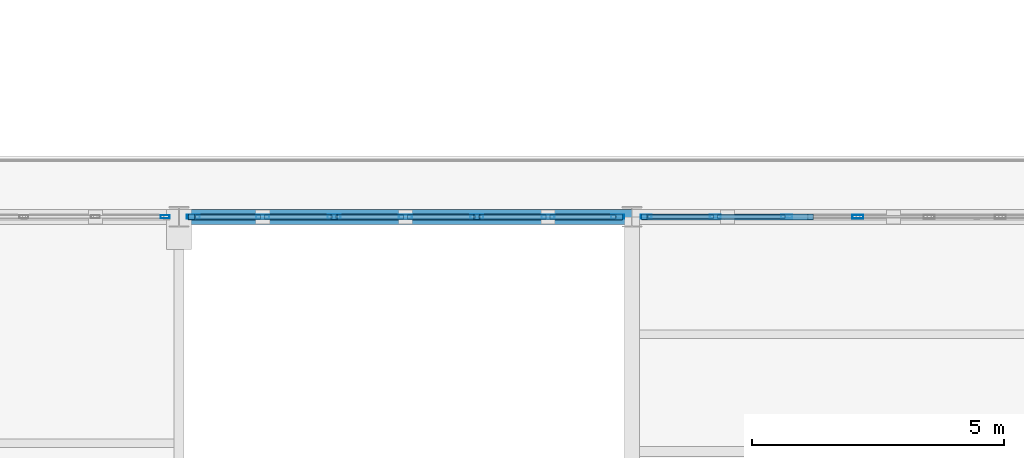
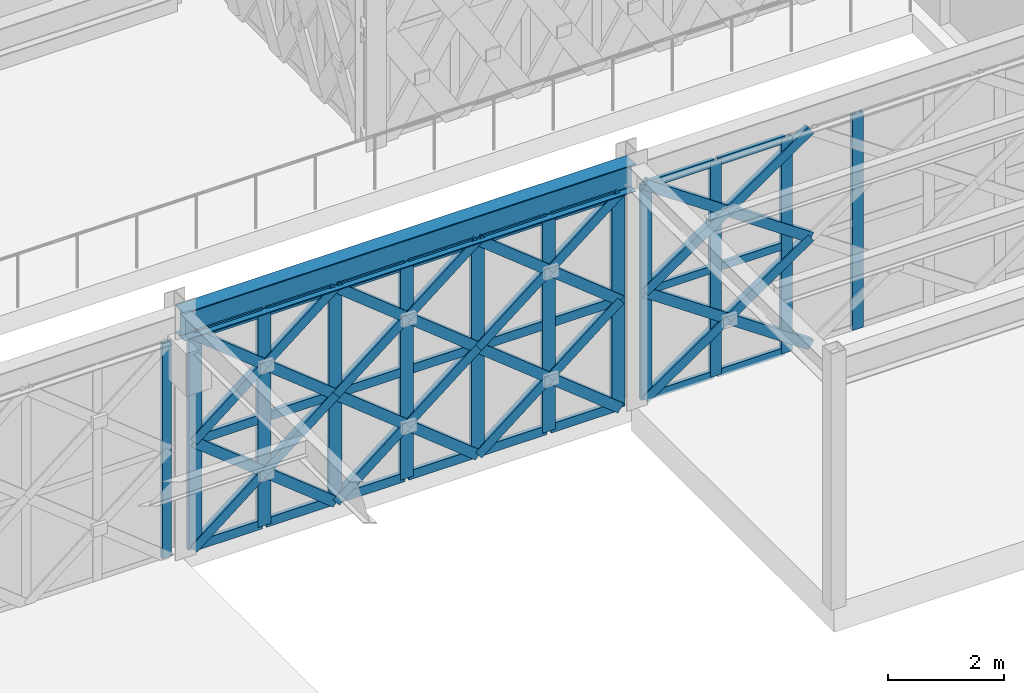
# One storey, part 91 of 140: 60 members, 1 beam, 3 elements without a shape of their own.
"""IFC4 building model written with IfcOpenShell, lengths in metres."""

from ifc_helpers import new_model, si_unit, direction, frame, origin, origin_2d, place, context, subcontext, project, spatial, hollow_rectangle, i_section, extrude, material, material_profile, profile_set, type_object, element, aggregate, save


model = new_model("IFC4")

# Units and contexts
model_context = context("Model", 3, precision=1e-05, world=origin(), true_north=direction((0.0, 1.0)))
body_context = subcontext(model_context, "Body", "Model", "MODEL_VIEW")
ifc_project = project(units=[si_unit("LENGTHUNIT", "METRE"), si_unit("AREAUNIT", "SQUARE_METRE"), si_unit("VOLUMEUNIT", "CUBIC_METRE"), si_unit("PLANEANGLEUNIT", "RADIAN"), si_unit("MASSUNIT", "GRAM", prefix="KILO")], contexts=[model_context])

# Site, building, storey
site_placement = place(None, origin())
site = spatial("IfcSite", under=ifc_project, at=site_placement, CompositionType="ELEMENT")
building_placement = place(site_placement, origin())
building = spatial("IfcBuilding", under=site, at=building_placement, Name="Haizhuo Lancet Aquarium", CompositionType="ELEMENT")
storey_placement = place(building_placement, origin())
storey = spatial("IfcBuildingStorey", under=building, at=storey_placement, Name="L00", CompositionType="ELEMENT", Elevation=0.0)

# Beam
ifc_material_1 = material(Name="Steel S355", Category="steel")
ifc_material_profile_1 = material_profile(ifc_material_1, i_section(OverallWidth=0.300048828125, OverallDepth=0.587890625, WebThickness=0.011962890625, FlangeThickness=0.02001953125, FilletRadius=0.02587890625, at=origin_2d()), Name="HM 588x300x12x20")
ifc_profile_set_1 = profile_set([ifc_material_profile_1], Name="Steel S355")
beam_type = type_object("IfcBeamType", Name="BM-ST-HM588", PredefinedType="BEAM", material=ifc_profile_set_1)
beam_placement = place(storey_placement, frame((63.0, 9.0, 4.825927734375), z_axis=(1.0, 0.0, 0.0), x_axis=(0.0, 1.0, 0.0)))
element("IfcBeam", 1, at=beam_placement, inside=storey, type_object=beam_type, Name="L00 V7 primary girder BM-L00-V7-018", PredefinedType="BEAM", context=body_context, shape_type="SweptSolid", body=[
    extrude(i_section(OverallWidth=0.300048828125, OverallDepth=0.587890625, WebThickness=0.011962890625, FlangeThickness=0.02001953125, FilletRadius=0.02587890625, at=origin_2d()), origin(), (0.0, 0.0, 1.0), 9.0),
])

# Curtain wall, member
ifc_material_2 = material(Name="Aluminium 6063-T6", Category="aluminium")
curtain_wall_type_1 = type_object("IfcCurtainWallType", Name="CWO-8510x4530", PredefinedType="NOTDEFINED", material=ifc_material_2)
curtain_wall_1_placement = place(storey_placement, origin())
curtain_wall_1 = element("IfcCurtainWall", 2, at=curtain_wall_1_placement, inside=storey, type_object=curtain_wall_type_1, Name="L00 curtain wall CW-V7-L00-280", PredefinedType="NOTDEFINED")
ifc_material_profile_2 = material_profile(ifc_material_2, hollow_rectangle(XDim=0.06494140625, YDim=0.179931640625, WallThickness=0.00390625, at=origin_2d()), Name="ALU-M 65x180x4")
ifc_profile_set_2 = profile_set([ifc_material_profile_2], Name="Aluminium 6063-T6")
member_type_1 = type_object("IfcMemberType", Name="CW-MUL-1", PredefinedType="MULLION", material=ifc_profile_set_2)
member_1_placement = place(storey_placement, frame((62.722900390625, 9.0, 0.0), z_axis=(0.0, 0.0, 1.0), x_axis=(0.0, -1.0, 0.0)))
member_1 = element("IfcMember", 3, at=member_1_placement, type_object=member_type_1, Name="CWO-85x45 mullion 1", PredefinedType="MULLION", context=body_context, shape_type="SweptSolid", body=[
    extrude(hollow_rectangle(XDim=0.06494140625, YDim=0.179931640625, WallThickness=0.00390625, at=origin_2d()), origin(), (0.0, 0.0, 1.0), 4.531982421875),
])
aggregate(curtain_wall_1, [member_1])

# Curtain wall, members
curtain_wall_type_2 = type_object("IfcCurtainWallType", Name="CWO-9910x4530", PredefinedType="NOTDEFINED", material=ifc_material_2)
curtain_wall_2_placement = place(storey_placement, origin())
curtain_wall_2 = element("IfcCurtainWall", 4, at=curtain_wall_2_placement, inside=storey, type_object=curtain_wall_type_2, Name="L00 curtain wall CW-V7-L00-278", PredefinedType="NOTDEFINED")
ifc_material_profile_3 = material_profile(ifc_material_2, hollow_rectangle(XDim=0.074951171875, YDim=0.219970703125, WallThickness=0.0048828125, at=origin_2d()), Name="ALU-M 75x220x5")
ifc_profile_set_3 = profile_set([ifc_material_profile_3], Name="Aluminium 6063-T6")
member_type_2 = type_object("IfcMemberType", Name="CW-MUL-2", PredefinedType="MULLION", material=ifc_profile_set_3)
member_2_placement = place(storey_placement, frame((76.491943359375, 9.0, 0.0), z_axis=(0.0, 0.0, 1.0), x_axis=(0.0, -1.0, 0.0)))
member_2 = element("IfcMember", 5, at=member_2_placement, type_object=member_type_2, Name="CWO-99x45 mullion 5", PredefinedType="MULLION", context=body_context, shape_type="SweptSolid", body=[
    extrude(hollow_rectangle(XDim=0.074951171875, YDim=0.219970703125, WallThickness=0.0048828125, at=origin_2d()), origin(), (0.0, 0.0, 1.0), 4.531982421875),
])
member_3_placement = place(storey_placement, frame((75.075927734375, 9.0, 0.0), z_axis=(0.0, 0.0, 1.0), x_axis=(0.0, -1.0, 0.0)))
member_3 = element("IfcMember", 6, at=member_3_placement, type_object=member_type_2, Name="CWO-99x45 mullion 6", PredefinedType="MULLION", context=body_context, shape_type="SweptSolid", body=[
    extrude(hollow_rectangle(XDim=0.074951171875, YDim=0.219970703125, WallThickness=0.0048828125, at=origin_2d()), origin(), (0.0, 0.0, 1.0), 4.531982421875),
])
member_4_placement = place(storey_placement, frame((73.660888671875, 9.0, 0.0), z_axis=(0.0, 0.0, 1.0), x_axis=(0.0, -1.0, 0.0)))
member_4 = element("IfcMember", 7, at=member_4_placement, type_object=member_type_2, Name="CWO-99x45 mullion 7", PredefinedType="MULLION", context=body_context, shape_type="SweptSolid", body=[
    extrude(hollow_rectangle(XDim=0.074951171875, YDim=0.219970703125, WallThickness=0.0048828125, at=origin_2d()), origin(), (0.0, 0.0, 1.0), 4.531982421875),
])
member_5_placement = place(storey_placement, frame((72.281982421875, 9.0, 0.0), z_axis=(0.0, 0.0, 1.0), x_axis=(0.0, -1.0, 0.0)))
member_5 = element("IfcMember", 8, at=member_5_placement, type_object=member_type_2, Name="CWO-99x45 mullion 8", PredefinedType="MULLION", context=body_context, shape_type="SweptSolid", body=[
    extrude(hollow_rectangle(XDim=0.074951171875, YDim=0.219970703125, WallThickness=0.0048828125, at=origin_2d()), origin(), (0.0, 0.0, 1.0), 4.531982421875),
])

curtain_wall_3_placement = place(storey_placement, origin())
curtain_wall_3 = element("IfcCurtainWall", 9, at=curtain_wall_3_placement, inside=storey, type_object=curtain_wall_type_1, Name="L00 curtain wall CW-V7-L00-279", PredefinedType="NOTDEFINED")
ifc_material_profile_4 = material_profile(ifc_material_2, hollow_rectangle(XDim=0.080078125, YDim=0.260009765625, WallThickness=0.0048828125, at=origin_2d()), Name="ALU-M 80x260x5")
ifc_profile_set_4 = profile_set([ifc_material_profile_4], Name="Aluminium 6063-T6")
member_type_3 = type_object("IfcMemberType", Name="CW-MUL-3", PredefinedType="MULLION", material=ifc_profile_set_4)
member_6_placement = place(storey_placement, frame((71.715087890625, 9.0, 0.0), z_axis=(0.0, 0.0, 1.0), x_axis=(0.0, -1.0, 0.0)))
member_6 = element("IfcMember", 10, at=member_6_placement, type_object=member_type_3, Name="CWO-85x45 mullion 1", PredefinedType="MULLION", context=body_context, shape_type="SweptSolid", body=[
    extrude(hollow_rectangle(XDim=0.080078125, YDim=0.260009765625, WallThickness=0.0048828125, at=origin_2d()), origin(), (0.0, 0.0, 1.0), 4.531982421875),
])
member_7_placement = place(storey_placement, frame((70.3369140625, 9.0, 0.0), z_axis=(0.0, 0.0, 1.0), x_axis=(0.0, -1.0, 0.0)))
member_7 = element("IfcMember", 11, at=member_7_placement, type_object=member_type_3, Name="CWO-85x45 mullion 2", PredefinedType="MULLION", context=body_context, shape_type="SweptSolid", body=[
    extrude(hollow_rectangle(XDim=0.080078125, YDim=0.260009765625, WallThickness=0.0048828125, at=origin_2d()), origin(), (0.0, 0.0, 1.0), 4.531982421875),
])
member_8_placement = place(storey_placement, frame((68.91796875, 9.0, 0.0), z_axis=(0.0, 0.0, 1.0), x_axis=(0.0, -1.0, 0.0)))
member_8 = element("IfcMember", 12, at=member_8_placement, type_object=member_type_3, Name="CWO-85x45 mullion 3", PredefinedType="MULLION", context=body_context, shape_type="SweptSolid", body=[
    extrude(hollow_rectangle(XDim=0.080078125, YDim=0.260009765625, WallThickness=0.0048828125, at=origin_2d()), origin(), (0.0, 0.0, 1.0), 4.531982421875),
])
member_9_placement = place(storey_placement, frame((67.5, 9.0, 0.0), z_axis=(0.0, 0.0, 1.0), x_axis=(0.0, -1.0, 0.0)))
member_9 = element("IfcMember", 13, at=member_9_placement, type_object=member_type_3, Name="CWO-85x45 mullion 4", PredefinedType="MULLION", context=body_context, shape_type="SweptSolid", body=[
    extrude(hollow_rectangle(XDim=0.080078125, YDim=0.260009765625, WallThickness=0.0048828125, at=origin_2d()), origin(), (0.0, 0.0, 1.0), 4.531982421875),
])
member_10_placement = place(storey_placement, frame((66.08203125, 9.0, 0.0), z_axis=(0.0, 0.0, 1.0), x_axis=(0.0, -1.0, 0.0)))
member_10 = element("IfcMember", 14, at=member_10_placement, type_object=member_type_3, Name="CWO-85x45 mullion 5", PredefinedType="MULLION", context=body_context, shape_type="SweptSolid", body=[
    extrude(hollow_rectangle(XDim=0.080078125, YDim=0.260009765625, WallThickness=0.0048828125, at=origin_2d()), origin(), (0.0, 0.0, 1.0), 4.531982421875),
])
member_11_placement = place(storey_placement, frame((64.6630859375, 9.0, 0.0), z_axis=(0.0, 0.0, 1.0), x_axis=(0.0, -1.0, 0.0)))
member_11 = element("IfcMember", 15, at=member_11_placement, type_object=member_type_3, Name="CWO-85x45 mullion 6", PredefinedType="MULLION", context=body_context, shape_type="SweptSolid", body=[
    extrude(hollow_rectangle(XDim=0.080078125, YDim=0.260009765625, WallThickness=0.0048828125, at=origin_2d()), origin(), (0.0, 0.0, 1.0), 4.531982421875),
])
member_12_placement = place(storey_placement, frame((63.284912109375, 9.0, 0.0), z_axis=(0.0, 0.0, 1.0), x_axis=(0.0, -1.0, 0.0)))
member_12 = element("IfcMember", 16, at=member_12_placement, type_object=member_type_3, Name="CWO-85x45 mullion 7", PredefinedType="MULLION", context=body_context, shape_type="SweptSolid", body=[
    extrude(hollow_rectangle(XDim=0.080078125, YDim=0.260009765625, WallThickness=0.0048828125, at=origin_2d()), origin(), (0.0, 0.0, 1.0), 4.531982421875),
])

# Member
ifc_material_profile_5 = material_profile(ifc_material_2, hollow_rectangle(XDim=0.074951171875, YDim=0.159912109375, WallThickness=0.00390625, at=origin_2d()), Name="ALU-T 75x160x4")
ifc_profile_set_5 = profile_set([ifc_material_profile_5], Name="Aluminium 6063-T6")
member_type_4 = type_object("IfcMemberType", Name="CW-TRN-2", PredefinedType="NOTDEFINED", material=ifc_profile_set_5)
member_13_placement = place(storey_placement, frame((75.0390625, 9.0, 0.037109375), z_axis=(-1.0, 0.0, 0.0), x_axis=(0.0, -1.0, 0.0)))
member_13 = element("IfcMember", 17, at=member_13_placement, type_object=member_type_4, Name="CWO-99x45 transom 6.1", ObjectType="TRANSOM", PredefinedType="USERDEFINED", context=body_context, shape_type="SweptSolid", body=[
    extrude(hollow_rectangle(XDim=0.074951171875, YDim=0.159912109375, WallThickness=0.00390625, at=origin_2d()), origin(), (0.0, 0.0, 1.0), 1.341064453125),
])

member_14_placement = place(storey_placement, frame((75.0390625, 9.0, 2.26611328125), z_axis=(-1.0, 0.0, 0.0), x_axis=(0.0, -1.0, 0.0)))
member_14 = element("IfcMember", 18, at=member_14_placement, type_object=member_type_4, Name="CWO-99x45 transom 6.2", ObjectType="TRANSOM", PredefinedType="USERDEFINED", context=body_context, shape_type="SweptSolid", body=[
    extrude(hollow_rectangle(XDim=0.074951171875, YDim=0.159912109375, WallThickness=0.00390625, at=origin_2d()), origin(), (0.0, 0.0, 1.0), 1.341064453125),
])

member_15_placement = place(storey_placement, frame((75.0390625, 9.0, 4.4951171875), z_axis=(-1.0, 0.0, 0.0), x_axis=(0.0, -1.0, 0.0)))
member_15 = element("IfcMember", 19, at=member_15_placement, type_object=member_type_4, Name="CWO-99x45 transom 6.3", ObjectType="TRANSOM", PredefinedType="USERDEFINED", context=body_context, shape_type="SweptSolid", body=[
    extrude(hollow_rectangle(XDim=0.074951171875, YDim=0.159912109375, WallThickness=0.00390625, at=origin_2d()), origin(), (0.0, 0.0, 1.0), 1.341064453125),
])

member_16_placement = place(storey_placement, frame((73.623046875, 9.0, 0.037109375), z_axis=(-1.0, 0.0, 0.0), x_axis=(0.0, -1.0, 0.0)))
member_16 = element("IfcMember", 20, at=member_16_placement, type_object=member_type_4, Name="CWO-99x45 transom 7.1", ObjectType="TRANSOM", PredefinedType="USERDEFINED", context=body_context, shape_type="SweptSolid", body=[
    extrude(hollow_rectangle(XDim=0.074951171875, YDim=0.159912109375, WallThickness=0.00390625, at=origin_2d()), origin(), (0.0, 0.0, 1.0), 1.302978515625),
])

member_17_placement = place(storey_placement, frame((73.623046875, 9.0, 2.26611328125), z_axis=(-1.0, 0.0, 0.0), x_axis=(0.0, -1.0, 0.0)))
member_17 = element("IfcMember", 21, at=member_17_placement, type_object=member_type_4, Name="CWO-99x45 transom 7.2", ObjectType="TRANSOM", PredefinedType="USERDEFINED", context=body_context, shape_type="SweptSolid", body=[
    extrude(hollow_rectangle(XDim=0.074951171875, YDim=0.159912109375, WallThickness=0.00390625, at=origin_2d()), origin(), (0.0, 0.0, 1.0), 1.302978515625),
])

member_18_placement = place(storey_placement, frame((73.623046875, 9.0, 4.4951171875), z_axis=(-1.0, 0.0, 0.0), x_axis=(0.0, -1.0, 0.0)))
member_18 = element("IfcMember", 22, at=member_18_placement, type_object=member_type_4, Name="CWO-99x45 transom 7.3", ObjectType="TRANSOM", PredefinedType="USERDEFINED", context=body_context, shape_type="SweptSolid", body=[
    extrude(hollow_rectangle(XDim=0.074951171875, YDim=0.159912109375, WallThickness=0.00390625, at=origin_2d()), origin(), (0.0, 0.0, 1.0), 1.302978515625),
])

aggregate(curtain_wall_2, [member_2, member_3, member_4, member_5, member_13, member_14, member_15, member_16, member_17, member_18])

ifc_material_profile_6 = material_profile(ifc_material_2, hollow_rectangle(XDim=0.080078125, YDim=0.18994140625, WallThickness=0.0048828125, at=origin_2d()), Name="ALU-T 80x190x5")
ifc_profile_set_6 = profile_set([ifc_material_profile_6], Name="Aluminium 6063-T6")
member_type_5 = type_object("IfcMemberType", Name="CW-TRN-3", PredefinedType="NOTDEFINED", material=ifc_profile_set_6)
member_19_placement = place(storey_placement, frame((71.675048828125, 9.0, 0.0400390625), z_axis=(-1.0, 0.0, 0.0), x_axis=(0.0, -1.0, 0.0)))
member_19 = element("IfcMember", 23, at=member_19_placement, type_object=member_type_5, Name="CWO-85x45 transom 1.1", ObjectType="TRANSOM", PredefinedType="USERDEFINED", context=body_context, shape_type="SweptSolid", body=[
    extrude(hollow_rectangle(XDim=0.080078125, YDim=0.18994140625, WallThickness=0.0048828125, at=origin_2d()), origin(), (0.0, 0.0, 1.0), 1.298095703125),
])

member_20_placement = place(storey_placement, frame((71.675048828125, 9.0, 2.26611328125), z_axis=(-1.0, 0.0, 0.0), x_axis=(0.0, -1.0, 0.0)))
member_20 = element("IfcMember", 24, at=member_20_placement, type_object=member_type_5, Name="CWO-85x45 transom 1.2", ObjectType="TRANSOM", PredefinedType="USERDEFINED", context=body_context, shape_type="SweptSolid", body=[
    extrude(hollow_rectangle(XDim=0.080078125, YDim=0.18994140625, WallThickness=0.0048828125, at=origin_2d()), origin(), (0.0, 0.0, 1.0), 1.298095703125),
])

member_21_placement = place(storey_placement, frame((71.675048828125, 9.0, 4.491943359375), z_axis=(-1.0, 0.0, 0.0), x_axis=(0.0, -1.0, 0.0)))
member_21 = element("IfcMember", 25, at=member_21_placement, type_object=member_type_5, Name="CWO-85x45 transom 1.3", ObjectType="TRANSOM", PredefinedType="USERDEFINED", context=body_context, shape_type="SweptSolid", body=[
    extrude(hollow_rectangle(XDim=0.080078125, YDim=0.18994140625, WallThickness=0.0048828125, at=origin_2d()), origin(), (0.0, 0.0, 1.0), 1.298095703125),
])

member_22_placement = place(storey_placement, frame((70.297119140625, 9.0, 0.0400390625), z_axis=(-1.0, 0.0, 0.0), x_axis=(0.0, -1.0, 0.0)))
member_22 = element("IfcMember", 26, at=member_22_placement, type_object=member_type_5, Name="CWO-85x45 transom 2.1", ObjectType="TRANSOM", PredefinedType="USERDEFINED", context=body_context, shape_type="SweptSolid", body=[
    extrude(hollow_rectangle(XDim=0.080078125, YDim=0.18994140625, WallThickness=0.0048828125, at=origin_2d()), origin(), (0.0, 0.0, 1.0), 1.339111328125),
])

member_23_placement = place(storey_placement, frame((70.297119140625, 9.0, 2.26611328125), z_axis=(-1.0, 0.0, 0.0), x_axis=(0.0, -1.0, 0.0)))
member_23 = element("IfcMember", 27, at=member_23_placement, type_object=member_type_5, Name="CWO-85x45 transom 2.2", ObjectType="TRANSOM", PredefinedType="USERDEFINED", context=body_context, shape_type="SweptSolid", body=[
    extrude(hollow_rectangle(XDim=0.080078125, YDim=0.18994140625, WallThickness=0.0048828125, at=origin_2d()), origin(), (0.0, 0.0, 1.0), 1.339111328125),
])

member_24_placement = place(storey_placement, frame((70.297119140625, 9.0, 4.491943359375), z_axis=(-1.0, 0.0, 0.0), x_axis=(0.0, -1.0, 0.0)))
member_24 = element("IfcMember", 28, at=member_24_placement, type_object=member_type_5, Name="CWO-85x45 transom 2.3", ObjectType="TRANSOM", PredefinedType="USERDEFINED", context=body_context, shape_type="SweptSolid", body=[
    extrude(hollow_rectangle(XDim=0.080078125, YDim=0.18994140625, WallThickness=0.0048828125, at=origin_2d()), origin(), (0.0, 0.0, 1.0), 1.339111328125),
])

member_25_placement = place(storey_placement, frame((68.8779296875, 9.0, 0.0400390625), z_axis=(-1.0, 0.0, 0.0), x_axis=(0.0, -1.0, 0.0)))
member_25 = element("IfcMember", 29, at=member_25_placement, type_object=member_type_5, Name="CWO-85x45 transom 3.1", ObjectType="TRANSOM", PredefinedType="USERDEFINED", context=body_context, shape_type="SweptSolid", body=[
    extrude(hollow_rectangle(XDim=0.080078125, YDim=0.18994140625, WallThickness=0.0048828125, at=origin_2d()), origin(), (0.0, 0.0, 1.0), 1.337890625),
])

member_26_placement = place(storey_placement, frame((68.8779296875, 9.0, 2.26611328125), z_axis=(-1.0, 0.0, 0.0), x_axis=(0.0, -1.0, 0.0)))
member_26 = element("IfcMember", 30, at=member_26_placement, type_object=member_type_5, Name="CWO-85x45 transom 3.2", ObjectType="TRANSOM", PredefinedType="USERDEFINED", context=body_context, shape_type="SweptSolid", body=[
    extrude(hollow_rectangle(XDim=0.080078125, YDim=0.18994140625, WallThickness=0.0048828125, at=origin_2d()), origin(), (0.0, 0.0, 1.0), 1.337890625),
])

member_27_placement = place(storey_placement, frame((68.8779296875, 9.0, 4.491943359375), z_axis=(-1.0, 0.0, 0.0), x_axis=(0.0, -1.0, 0.0)))
member_27 = element("IfcMember", 31, at=member_27_placement, type_object=member_type_5, Name="CWO-85x45 transom 3.3", ObjectType="TRANSOM", PredefinedType="USERDEFINED", context=body_context, shape_type="SweptSolid", body=[
    extrude(hollow_rectangle(XDim=0.080078125, YDim=0.18994140625, WallThickness=0.0048828125, at=origin_2d()), origin(), (0.0, 0.0, 1.0), 1.337890625),
])

member_28_placement = place(storey_placement, frame((67.4599609375, 9.0, 0.0400390625), z_axis=(-1.0, 0.0, 0.0), x_axis=(0.0, -1.0, 0.0)))
member_28 = element("IfcMember", 32, at=member_28_placement, type_object=member_type_5, Name="CWO-85x45 transom 4.1", ObjectType="TRANSOM", PredefinedType="USERDEFINED", context=body_context, shape_type="SweptSolid", body=[
    extrude(hollow_rectangle(XDim=0.080078125, YDim=0.18994140625, WallThickness=0.0048828125, at=origin_2d()), origin(), (0.0, 0.0, 1.0), 1.337890625),
])

member_29_placement = place(storey_placement, frame((67.4599609375, 9.0, 2.26611328125), z_axis=(-1.0, 0.0, 0.0), x_axis=(0.0, -1.0, 0.0)))
member_29 = element("IfcMember", 33, at=member_29_placement, type_object=member_type_5, Name="CWO-85x45 transom 4.2", ObjectType="TRANSOM", PredefinedType="USERDEFINED", context=body_context, shape_type="SweptSolid", body=[
    extrude(hollow_rectangle(XDim=0.080078125, YDim=0.18994140625, WallThickness=0.0048828125, at=origin_2d()), origin(), (0.0, 0.0, 1.0), 1.337890625),
])

member_30_placement = place(storey_placement, frame((67.4599609375, 9.0, 4.491943359375), z_axis=(-1.0, 0.0, 0.0), x_axis=(0.0, -1.0, 0.0)))
member_30 = element("IfcMember", 34, at=member_30_placement, type_object=member_type_5, Name="CWO-85x45 transom 4.3", ObjectType="TRANSOM", PredefinedType="USERDEFINED", context=body_context, shape_type="SweptSolid", body=[
    extrude(hollow_rectangle(XDim=0.080078125, YDim=0.18994140625, WallThickness=0.0048828125, at=origin_2d()), origin(), (0.0, 0.0, 1.0), 1.337890625),
])

member_31_placement = place(storey_placement, frame((66.0419921875, 9.0, 0.0400390625), z_axis=(-1.0, 0.0, 0.0), x_axis=(0.0, -1.0, 0.0)))
member_31 = element("IfcMember", 35, at=member_31_placement, type_object=member_type_5, Name="CWO-85x45 transom 5.1", ObjectType="TRANSOM", PredefinedType="USERDEFINED", context=body_context, shape_type="SweptSolid", body=[
    extrude(hollow_rectangle(XDim=0.080078125, YDim=0.18994140625, WallThickness=0.0048828125, at=origin_2d()), origin(), (0.0, 0.0, 1.0), 1.339111328125),
])

member_32_placement = place(storey_placement, frame((66.0419921875, 9.0, 2.26611328125), z_axis=(-1.0, 0.0, 0.0), x_axis=(0.0, -1.0, 0.0)))
member_32 = element("IfcMember", 36, at=member_32_placement, type_object=member_type_5, Name="CWO-85x45 transom 5.2", ObjectType="TRANSOM", PredefinedType="USERDEFINED", context=body_context, shape_type="SweptSolid", body=[
    extrude(hollow_rectangle(XDim=0.080078125, YDim=0.18994140625, WallThickness=0.0048828125, at=origin_2d()), origin(), (0.0, 0.0, 1.0), 1.339111328125),
])

member_33_placement = place(storey_placement, frame((66.0419921875, 9.0, 4.491943359375), z_axis=(-1.0, 0.0, 0.0), x_axis=(0.0, -1.0, 0.0)))
member_33 = element("IfcMember", 37, at=member_33_placement, type_object=member_type_5, Name="CWO-85x45 transom 5.3", ObjectType="TRANSOM", PredefinedType="USERDEFINED", context=body_context, shape_type="SweptSolid", body=[
    extrude(hollow_rectangle(XDim=0.080078125, YDim=0.18994140625, WallThickness=0.0048828125, at=origin_2d()), origin(), (0.0, 0.0, 1.0), 1.339111328125),
])

member_34_placement = place(storey_placement, frame((64.623046875, 9.0, 0.0400390625), z_axis=(-1.0, 0.0, 0.0), x_axis=(0.0, -1.0, 0.0)))
member_34 = element("IfcMember", 38, at=member_34_placement, type_object=member_type_5, Name="CWO-85x45 transom 6.1", ObjectType="TRANSOM", PredefinedType="USERDEFINED", context=body_context, shape_type="SweptSolid", body=[
    extrude(hollow_rectangle(XDim=0.080078125, YDim=0.18994140625, WallThickness=0.0048828125, at=origin_2d()), origin(), (0.0, 0.0, 1.0), 1.298095703125),
])

member_35_placement = place(storey_placement, frame((64.623046875, 9.0, 2.26611328125), z_axis=(-1.0, 0.0, 0.0), x_axis=(0.0, -1.0, 0.0)))
member_35 = element("IfcMember", 39, at=member_35_placement, type_object=member_type_5, Name="CWO-85x45 transom 6.2", ObjectType="TRANSOM", PredefinedType="USERDEFINED", context=body_context, shape_type="SweptSolid", body=[
    extrude(hollow_rectangle(XDim=0.080078125, YDim=0.18994140625, WallThickness=0.0048828125, at=origin_2d()), origin(), (0.0, 0.0, 1.0), 1.298095703125),
])

member_36_placement = place(storey_placement, frame((64.623046875, 9.0, 4.491943359375), z_axis=(-1.0, 0.0, 0.0), x_axis=(0.0, -1.0, 0.0)))
member_36 = element("IfcMember", 40, at=member_36_placement, type_object=member_type_5, Name="CWO-85x45 transom 6.3", ObjectType="TRANSOM", PredefinedType="USERDEFINED", context=body_context, shape_type="SweptSolid", body=[
    extrude(hollow_rectangle(XDim=0.080078125, YDim=0.18994140625, WallThickness=0.0048828125, at=origin_2d()), origin(), (0.0, 0.0, 1.0), 1.298095703125),
])

aggregate(curtain_wall_3, [member_6, member_7, member_8, member_9, member_10, member_11, member_12, member_19, member_20, member_21, member_22, member_23, member_24, member_25, member_26, member_27, member_28, member_29, member_30, member_31, member_32, member_33, member_34, member_35, member_36])

# Members
ifc_material_profile_7 = material_profile(ifc_material_1, hollow_rectangle(XDim=0.1201171875, YDim=0.199951171875, WallThickness=0.008056640625, at=origin_2d()), Name="RHS 120x200x8")
ifc_profile_set_7 = profile_set([ifc_material_profile_7], Name="Steel S355")
member_type_6 = type_object("IfcMemberType", Name="MEM-LB-RHS120x200", PredefinedType="BRACE", material=ifc_profile_set_7)
member_37_placement = place(storey_placement, frame((75.548095703125, 9.0, 0.0), z_axis=(-0.824587501474, 0.0, 0.565734436298), x_axis=(0.0, -1.0, 0.0)))
element("IfcMember", 41, at=member_37_placement, inside=storey, type_object=member_type_6, Name="Gothic lancet continuous diagonal brace CW-V7-L00-278 5A", PredefinedType="BRACE", context=body_context, shape_type="SweptSolid", body=[
    extrude(hollow_rectangle(XDim=0.1201171875, YDim=0.199951171875, WallThickness=0.008056640625, at=origin_2d()), origin(), (0.0, 0.0, 1.0), 4.005615234375),
])
member_38_placement = place(storey_placement, frame((72.2451171875, 9.0, 0.0), z_axis=(0.824646010022, 0.0, 0.565649147578), x_axis=(0.0, 1.0, 0.0)))
element("IfcMember", 42, at=member_38_placement, inside=storey, type_object=member_type_6, Name="Gothic lancet split diagonal brace CW-V7-L00-278 5B1", PredefinedType="BRACE", context=body_context, shape_type="SweptSolid", body=[
    extrude(hollow_rectangle(XDim=0.1201171875, YDim=0.199951171875, WallThickness=0.008056640625, at=origin_2d()), origin(), (0.0, 0.0, 1.0), 2.003173828125),
])
member_39_placement = place(storey_placement, frame((73.89697265625, 9.0, 1.133056640625), z_axis=(0.824528966455, 0.0, 0.565819744687), x_axis=(0.0, 1.0, 0.0)))
element("IfcMember", 43, at=member_39_placement, inside=storey, type_object=member_type_6, Name="Gothic lancet split diagonal brace CW-V7-L00-278 5B2", PredefinedType="BRACE", context=body_context, shape_type="SweptSolid", body=[
    extrude(hollow_rectangle(XDim=0.1201171875, YDim=0.199951171875, WallThickness=0.008056640625, at=origin_2d()), origin(), (0.0, 0.0, 1.0), 2.00244140625),
])
member_40_placement = place(storey_placement, frame((75.548095703125, 9.0, 2.26611328125), z_axis=(-0.824615934264, 0.0, 0.565692991788), x_axis=(0.0, -1.0, 0.0)))
element("IfcMember", 44, at=member_40_placement, inside=storey, type_object=member_type_6, Name="Gothic lancet continuous diagonal brace CW-V7-L00-278 6A", PredefinedType="BRACE", context=body_context, shape_type="SweptSolid", body=[
    extrude(hollow_rectangle(XDim=0.1201171875, YDim=0.199951171875, WallThickness=0.008056640625, at=origin_2d()), origin(), (0.0, 0.0, 1.0), 4.00537109375),
])
member_41_placement = place(storey_placement, frame((72.2451171875, 9.0, 2.26611328125), z_axis=(0.824702862367, 0.0, 0.565566255008), x_axis=(0.0, 1.0, 0.0)))
element("IfcMember", 45, at=member_41_placement, inside=storey, type_object=member_type_6, Name="Gothic lancet split diagonal brace CW-V7-L00-278 6B1", PredefinedType="BRACE", context=body_context, shape_type="SweptSolid", body=[
    extrude(hollow_rectangle(XDim=0.1201171875, YDim=0.199951171875, WallThickness=0.008056640625, at=origin_2d()), origin(), (0.0, 0.0, 1.0), 2.0029296875),
])
member_42_placement = place(storey_placement, frame((73.89697265625, 9.0, 3.39892578125), z_axis=(0.824528966455, 0.0, 0.565819744687), x_axis=(0.0, 1.0, 0.0)))
element("IfcMember", 46, at=member_42_placement, inside=storey, type_object=member_type_6, Name="Gothic lancet split diagonal brace CW-V7-L00-278 6B2", PredefinedType="BRACE", context=body_context, shape_type="SweptSolid", body=[
    extrude(hollow_rectangle(XDim=0.1201171875, YDim=0.199951171875, WallThickness=0.008056640625, at=origin_2d()), origin(), (0.0, 0.0, 1.0), 2.00244140625),
])
member_43_placement = place(storey_placement, frame((71.7548828125, 9.0, 0.0), z_axis=(-0.781327797887, 0.0, 0.624120879517), x_axis=(0.0, -1.0, 0.0)))
element("IfcMember", 47, at=member_43_placement, inside=storey, type_object=member_type_6, Name="Gothic lancet continuous diagonal brace CW-V7-L00-279 1A", PredefinedType="BRACE", context=body_context, shape_type="SweptSolid", body=[
    extrude(hollow_rectangle(XDim=0.1201171875, YDim=0.199951171875, WallThickness=0.008056640625, at=origin_2d()), origin(), (0.0, 0.0, 1.0), 3.630859375),
])
member_44_placement = place(storey_placement, frame((68.91796875, 9.0, 0.0), z_axis=(0.781432531883, 0.0, 0.623989741994), x_axis=(0.0, 1.0, 0.0)))
element("IfcMember", 48, at=member_44_placement, inside=storey, type_object=member_type_6, Name="Gothic lancet split diagonal brace CW-V7-L00-279 1B1", PredefinedType="BRACE", context=body_context, shape_type="SweptSolid", body=[
    extrude(hollow_rectangle(XDim=0.1201171875, YDim=0.199951171875, WallThickness=0.008056640625, at=origin_2d()), origin(), (0.0, 0.0, 1.0), 1.81591796875),
])
member_45_placement = place(storey_placement, frame((70.3369140625, 9.0, 1.133056640625), z_axis=(0.781222997842, 0.0, 0.624252054577), x_axis=(0.0, 1.0, 0.0)))
element("IfcMember", 49, at=member_45_placement, inside=storey, type_object=member_type_6, Name="Gothic lancet split diagonal brace CW-V7-L00-279 1B2", PredefinedType="BRACE", context=body_context, shape_type="SweptSolid", body=[
    extrude(hollow_rectangle(XDim=0.1201171875, YDim=0.199951171875, WallThickness=0.008056640625, at=origin_2d()), origin(), (0.0, 0.0, 1.0), 1.81494140625),
])
member_46_placement = place(storey_placement, frame((71.7548828125, 9.0, 2.26611328125), z_axis=(-0.781360587257, 0.0, 0.624079828772), x_axis=(0.0, -1.0, 0.0)))
element("IfcMember", 50, at=member_46_placement, inside=storey, type_object=member_type_6, Name="Gothic lancet continuous diagonal brace CW-V7-L00-279 2A", PredefinedType="BRACE", context=body_context, shape_type="SweptSolid", body=[
    extrude(hollow_rectangle(XDim=0.1201171875, YDim=0.199951171875, WallThickness=0.008056640625, at=origin_2d()), origin(), (0.0, 0.0, 1.0), 3.630615234375),
])
member_47_placement = place(storey_placement, frame((68.91796875, 9.0, 2.26611328125), z_axis=(0.781498092447, 0.0, 0.623907630584), x_axis=(0.0, 1.0, 0.0)))
element("IfcMember", 51, at=member_47_placement, inside=storey, type_object=member_type_6, Name="Gothic lancet split diagonal brace CW-V7-L00-279 2B1", PredefinedType="BRACE", context=body_context, shape_type="SweptSolid", body=[
    extrude(hollow_rectangle(XDim=0.1201171875, YDim=0.199951171875, WallThickness=0.008056640625, at=origin_2d()), origin(), (0.0, 0.0, 1.0), 1.815673828125),
])
member_48_placement = place(storey_placement, frame((70.3369140625, 9.0, 3.39892578125), z_axis=(0.781222997842, 0.0, 0.624252054577), x_axis=(0.0, 1.0, 0.0)))
element("IfcMember", 52, at=member_48_placement, inside=storey, type_object=member_type_6, Name="Gothic lancet split diagonal brace CW-V7-L00-279 2B2", PredefinedType="BRACE", context=body_context, shape_type="SweptSolid", body=[
    extrude(hollow_rectangle(XDim=0.1201171875, YDim=0.199951171875, WallThickness=0.008056640625, at=origin_2d()), origin(), (0.0, 0.0, 1.0), 1.81494140625),
])
member_49_placement = place(storey_placement, frame((68.91796875, 9.0, 0.0), z_axis=(-0.781222997842, 0.0, 0.624252054577), x_axis=(0.0, -1.0, 0.0)))
element("IfcMember", 53, at=member_49_placement, inside=storey, type_object=member_type_6, Name="Gothic lancet continuous diagonal brace CW-V7-L00-279 3A", PredefinedType="BRACE", context=body_context, shape_type="SweptSolid", body=[
    extrude(hollow_rectangle(XDim=0.1201171875, YDim=0.199951171875, WallThickness=0.008056640625, at=origin_2d()), origin(), (0.0, 0.0, 1.0), 3.630126953125),
])
for number, where, z_axis, x_axis, name in (
    (54, (66.08203125, 9.0, 0.0), (0.781222997842, 0.0, 0.624252054577), (0.0, 1.0, 0.0), "Gothic lancet split diagonal brace CW-V7-L00-279 3B1"),
    (55, (67.5, 9.0, 1.133056640625), (0.781222997842, 0.0, 0.624252054577), (0.0, 1.0, 0.0), "Gothic lancet split diagonal brace CW-V7-L00-279 3B2"),
):
    element("IfcMember", number, at=place(storey_placement, frame(where, z_axis=z_axis, x_axis=x_axis)), inside=storey, type_object=member_type_6, Name=name, PredefinedType="BRACE", context=body_context, shape_type="SweptSolid", body=[
        extrude(hollow_rectangle(XDim=0.1201171875, YDim=0.199951171875, WallThickness=0.008056640625, at=origin_2d()), origin(), (0.0, 0.0, 1.0), 1.81494140625),
    ])
member_50_placement = place(storey_placement, frame((68.91796875, 9.0, 2.26611328125), z_axis=(-0.781255796597, 0.0, 0.624211006217), x_axis=(0.0, -1.0, 0.0)))
element("IfcMember", 56, at=member_50_placement, inside=storey, type_object=member_type_6, Name="Gothic lancet continuous diagonal brace CW-V7-L00-279 4A", PredefinedType="BRACE", context=body_context, shape_type="SweptSolid", body=[
    extrude(hollow_rectangle(XDim=0.1201171875, YDim=0.199951171875, WallThickness=0.008056640625, at=origin_2d()), origin(), (0.0, 0.0, 1.0), 3.6298828125),
])
for number, where, z_axis, x_axis, name in (
    (57, (66.08203125, 9.0, 2.26611328125), (0.78128859595, 0.0, 0.624169952688), (0.0, 1.0, 0.0), "Gothic lancet split diagonal brace CW-V7-L00-279 4B1"),
    (58, (67.5, 9.0, 3.39892578125), (0.781222997842, 0.0, 0.624252054577), (0.0, 1.0, 0.0), "Gothic lancet split diagonal brace CW-V7-L00-279 4B2"),
):
    element("IfcMember", number, at=place(storey_placement, frame(where, z_axis=z_axis, x_axis=x_axis)), inside=storey, type_object=member_type_6, Name=name, PredefinedType="BRACE", context=body_context, shape_type="SweptSolid", body=[
        extrude(hollow_rectangle(XDim=0.1201171875, YDim=0.199951171875, WallThickness=0.008056640625, at=origin_2d()), origin(), (0.0, 0.0, 1.0), 1.81494140625),
    ])
member_51_placement = place(storey_placement, frame((66.08203125, 9.0, 0.0), z_axis=(-0.781327797887, 0.0, 0.624120879517), x_axis=(0.0, -1.0, 0.0)))
element("IfcMember", 59, at=member_51_placement, inside=storey, type_object=member_type_6, Name="Gothic lancet continuous diagonal brace CW-V7-L00-279 5A", PredefinedType="BRACE", context=body_context, shape_type="SweptSolid", body=[
    extrude(hollow_rectangle(XDim=0.1201171875, YDim=0.199951171875, WallThickness=0.008056640625, at=origin_2d()), origin(), (0.0, 0.0, 1.0), 3.630859375),
])
member_52_placement = place(storey_placement, frame((63.2451171875, 9.0, 0.0), z_axis=(0.781222997842, 0.0, 0.624252054577), x_axis=(0.0, 1.0, 0.0)))
element("IfcMember", 60, at=member_52_placement, inside=storey, type_object=member_type_6, Name="Gothic lancet split diagonal brace CW-V7-L00-279 5B1", PredefinedType="BRACE", context=body_context, shape_type="SweptSolid", body=[
    extrude(hollow_rectangle(XDim=0.1201171875, YDim=0.199951171875, WallThickness=0.008056640625, at=origin_2d()), origin(), (0.0, 0.0, 1.0), 1.81494140625),
])
member_53_placement = place(storey_placement, frame((64.6630859375, 9.0, 1.133056640625), z_axis=(0.781432531883, 0.0, 0.623989741994), x_axis=(0.0, 1.0, 0.0)))
element("IfcMember", 61, at=member_53_placement, inside=storey, type_object=member_type_6, Name="Gothic lancet split diagonal brace CW-V7-L00-279 5B2", PredefinedType="BRACE", context=body_context, shape_type="SweptSolid", body=[
    extrude(hollow_rectangle(XDim=0.1201171875, YDim=0.199951171875, WallThickness=0.008056640625, at=origin_2d()), origin(), (0.0, 0.0, 1.0), 1.81591796875),
])
member_54_placement = place(storey_placement, frame((66.08203125, 9.0, 2.26611328125), z_axis=(-0.781360587257, 0.0, 0.624079828772), x_axis=(0.0, -1.0, 0.0)))
element("IfcMember", 62, at=member_54_placement, inside=storey, type_object=member_type_6, Name="Gothic lancet continuous diagonal brace CW-V7-L00-279 6A", PredefinedType="BRACE", context=body_context, shape_type="SweptSolid", body=[
    extrude(hollow_rectangle(XDim=0.1201171875, YDim=0.199951171875, WallThickness=0.008056640625, at=origin_2d()), origin(), (0.0, 0.0, 1.0), 3.630615234375),
])
member_55_placement = place(storey_placement, frame((63.2451171875, 9.0, 2.26611328125), z_axis=(0.78128859595, 0.0, 0.624169952688), x_axis=(0.0, 1.0, 0.0)))
element("IfcMember", 63, at=member_55_placement, inside=storey, type_object=member_type_6, Name="Gothic lancet split diagonal brace CW-V7-L00-279 6B1", PredefinedType="BRACE", context=body_context, shape_type="SweptSolid", body=[
    extrude(hollow_rectangle(XDim=0.1201171875, YDim=0.199951171875, WallThickness=0.008056640625, at=origin_2d()), origin(), (0.0, 0.0, 1.0), 1.81494140625),
])
member_56_placement = place(storey_placement, frame((64.6630859375, 9.0, 3.39892578125), z_axis=(0.781432531883, 0.0, 0.623989741994), x_axis=(0.0, 1.0, 0.0)))
element("IfcMember", 64, at=member_56_placement, inside=storey, type_object=member_type_6, Name="Gothic lancet split diagonal brace CW-V7-L00-279 6B2", PredefinedType="BRACE", context=body_context, shape_type="SweptSolid", body=[
    extrude(hollow_rectangle(XDim=0.1201171875, YDim=0.199951171875, WallThickness=0.008056640625, at=origin_2d()), origin(), (0.0, 0.0, 1.0), 1.81591796875),
])

save(model, "model.ifc")
